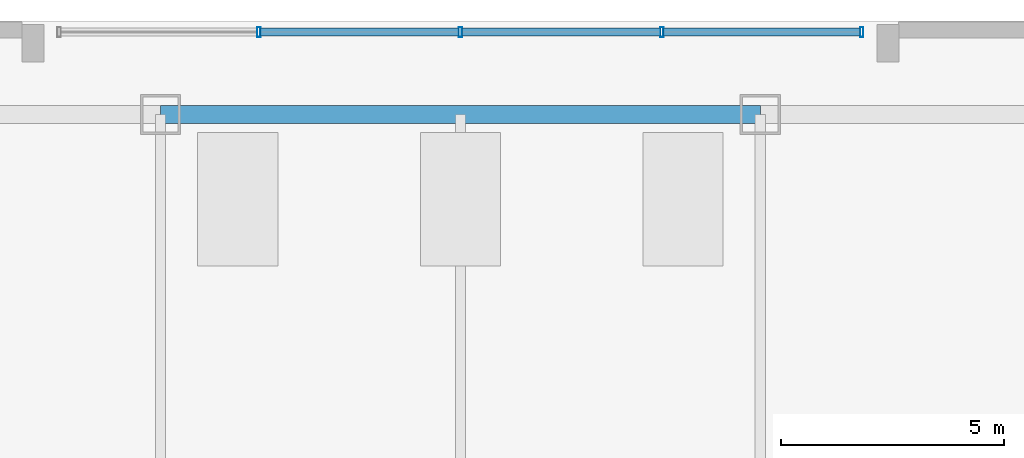
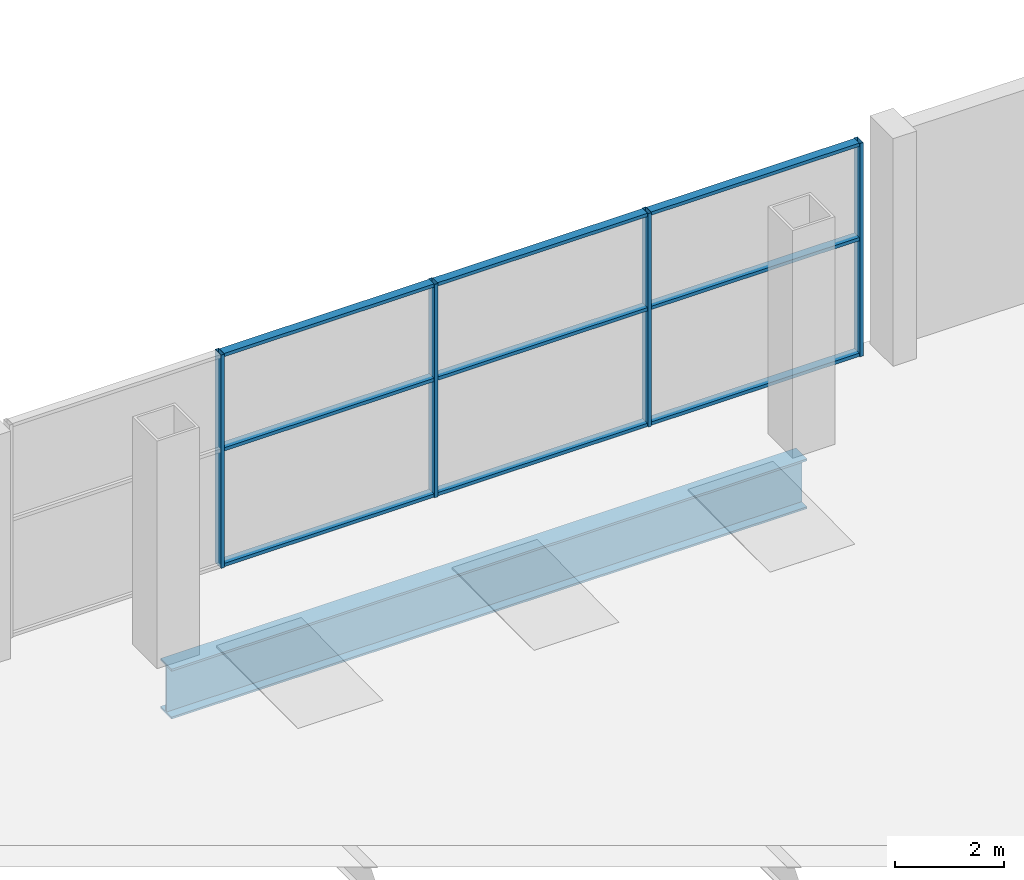
# One storey, part 10 of 21: 13 members, 1 beam, 1 element without a shape of its own.
"""IFC4 building model written with IfcOpenShell, lengths in metres."""

import ifcopenshell
import ifcopenshell.guid

model = None  # the IFC model being written
_history = None  # IfcOwnerHistory: only IFC2X3 demands one
_inside = {}  # id of a spatial element -> (the spatial element, [elements in it])
_under = {}  # id of a project, library or spatial element -> (it, [spatial elements below it])
_declared = {}  # id of a project -> (the project, [libraries it declares])
_typed = {}  # id of a type object -> (the type object, [elements of that type])
_made_of = {}  # id of a material, layer set ... -> (it, [elements and type objects made of it])


def new_model(schema):
    """Start an empty IFC model of exactly this schema.

    Asked for "IFC4X3", IfcOpenShell would pick the latest addendum, in which some entities
    have other attributes; the version numbers below select the first issue.
    IFC2X3 requires an IfcOwnerHistory on every rooted entity: one is made here for all.
    """
    global model, _history
    if schema == "IFC4X3":
        model = ifcopenshell.file(schema_version=(4, 3, 0, 0))
    else:
        model = ifcopenshell.file(schema=schema)
    _inside.clear()
    _under.clear()
    _declared.clear()
    _typed.clear()
    _made_of.clear()
    _history = None
    if model.schema == "IFC2X3":
        org = make("IfcOrganization", Name="unknown")
        user = make(
            "IfcPersonAndOrganization",
            ThePerson=make("IfcPerson", FamilyName="unknown"),
            TheOrganization=org,
        )
        app = make(
            "IfcApplication",
            ApplicationDeveloper=org,
            Version="unknown",
            ApplicationFullName="unknown",
            ApplicationIdentifier="unknown",
        )
        _history = make(
            "IfcOwnerHistory",
            OwningUser=user,
            OwningApplication=app,
            ChangeAction="ADDED",
            CreationDate=0,
        )
    return model


def make(cls, **values):
    """One entity of the class cls with the attributes given. An attribute that is None is left unset."""
    return model.create_entity(
        cls, **{name: value for name, value in values.items() if value is not None}
    )


def rooted(cls, **values):
    """An entity with a GlobalId (a new one), such as an element, a storey or a relation."""
    return make(cls, GlobalId=ifcopenshell.guid.new(), OwnerHistory=_history, **values)


def si_unit(unit_type, name, prefix=None):
    """IfcSIUnit, for example si_unit("LENGTHUNIT", "METRE", prefix="MILLI")."""
    return make("IfcSIUnit", UnitType=unit_type, Prefix=prefix, Name=name)


def assignment(units):
    """IfcUnitAssignment: the units of a project."""
    return None if units is None else make("IfcUnitAssignment", Units=units)


def point(xyz):
    """IfcCartesianPoint."""
    return None if xyz is None else make("IfcCartesianPoint", Coordinates=xyz)


def direction(xyz):
    """IfcDirection."""
    return None if xyz is None else make("IfcDirection", DirectionRatios=xyz)


def frame(location, z_axis=None, x_axis=None):
    """IfcAxis2Placement3D, a coordinate frame: its origin and axes. An axis left out is left unset."""
    return make(
        "IfcAxis2Placement3D",
        Location=point(location),
        Axis=direction(z_axis),
        RefDirection=direction(x_axis),
    )


def frame_2d(location, x_axis=None):
    """IfcAxis2Placement2D, a coordinate frame in the plane: its origin and x axis."""
    return make(
        "IfcAxis2Placement2D", Location=point(location), RefDirection=direction(x_axis)
    )


def origin():
    """The frame at (0, 0, 0) with its axes left unset."""
    return frame((0.0, 0.0, 0.0))


def origin_2d():
    """The frame at (0, 0) in the plane with its x axis left unset."""
    return frame_2d((0.0, 0.0))


def place(relative_to, where):
    """IfcLocalPlacement: puts the frame where relative to a parent placement (None: the world)."""
    return make(
        "IfcLocalPlacement", PlacementRelTo=relative_to, RelativePlacement=where
    )


def context(
    kind, dimensions, precision=None, world=None, true_north=None, identifier=None
):
    """IfcGeometricRepresentationContext, for example the 3D "Model" context."""
    return make(
        "IfcGeometricRepresentationContext",
        ContextIdentifier=identifier,
        ContextType=kind,
        CoordinateSpaceDimension=dimensions,
        Precision=precision,
        WorldCoordinateSystem=world,
        TrueNorth=true_north,
    )


def subcontext(parent, identifier, kind, view, scale=None):
    """IfcGeometricRepresentationSubContext, for example "Body" below "Model"."""
    return make(
        "IfcGeometricRepresentationSubContext",
        ContextIdentifier=identifier,
        ContextType=kind,
        ParentContext=parent,
        TargetScale=scale,
        TargetView=view,
    )


def project(units=None, contexts=None):
    """IfcProject with its units and contexts."""
    return rooted(
        "IfcProject",
        Name="project",
        RepresentationContexts=contexts,
        UnitsInContext=assignment(units),
    )


def spatial(cls, under=None, at=None, **own):
    """A site, building, storey or space (cls), placed at a placement, below another one or the project."""
    s = rooted(cls, ObjectPlacement=at, **own)
    if under is not None:
        _under.setdefault(under.id(), (under, []))[1].append(s)
    return s


def profile(cls, at=None, kind="AREA", **sizes):
    """A parametric profile (cls). Its sizes go by their IFC names, for example OverallWidth=200.0."""
    return make(cls, ProfileType=kind, Position=at, **sizes)


def hollow_rectangle(**sizes):
    """IfcRectangleHollowProfileDef."""
    return profile("IfcRectangleHollowProfileDef", **sizes)


def i_section(**sizes):
    """IfcIShapeProfileDef."""
    return profile("IfcIShapeProfileDef", **sizes)


def extrude(swept, where, along, depth):
    """IfcExtrudedAreaSolid: the profile swept, set in the frame where, extruded along a direction by depth."""
    return make(
        "IfcExtrudedAreaSolid",
        SweptArea=swept,
        Position=where,
        ExtrudedDirection=direction(along),
        Depth=depth,
    )


def shape(context_of_items, identifier, shape_type, items):
    """IfcShapeRepresentation: the items that make up one representation, for example the "Body"."""
    return make(
        "IfcShapeRepresentation",
        ContextOfItems=context_of_items,
        RepresentationIdentifier=identifier,
        RepresentationType=shape_type,
        Items=items,
    )


def material(Name=None, Category=None):
    """IfcMaterial."""
    return make("IfcMaterial", Name=Name, Category=Category)


def layer(
    of_material, thickness, ventilated=None, Name=None, Category=None, Priority=None
):
    """IfcMaterialLayer: one layer of a wall or slab, of a material (None: an air gap)."""
    return make(
        "IfcMaterialLayer",
        Material=of_material,
        LayerThickness=thickness,
        IsVentilated=ventilated,
        Name=Name,
        Category=Category,
        Priority=Priority,
    )


def layer_set(layers, Name=None):
    """IfcMaterialLayerSet."""
    return make("IfcMaterialLayerSet", MaterialLayers=layers, LayerSetName=Name)


def material_profile(
    of_material, cross_section, Name=None, Category=None, Priority=None
):
    """IfcMaterialProfile: a cross section and its material."""
    return make(
        "IfcMaterialProfile",
        Name=Name,
        Material=of_material,
        Profile=cross_section,
        Priority=Priority,
        Category=Category,
    )


def profile_set(profiles, Name=None, composite=None):
    """IfcMaterialProfileSet."""
    return make(
        "IfcMaterialProfileSet",
        Name=Name,
        MaterialProfiles=profiles,
        CompositeProfile=composite,
    )


def made_of(thing, what):
    """Note that an element or type object is made of a material, layer set ...; save() writes the relation."""
    if what is not None:
        _made_of.setdefault(what.id(), (what, []))[1].append(thing)
    return thing


def type_object(cls, material=None, **own):
    """A type object (cls), such as IfcWallType, which elements share."""
    return made_of(rooted(cls, **own), material)


def element(
    cls,
    number,
    at=None,
    inside=None,
    cuts=None,
    type_object=None,
    material=None,
    context=None,
    identifier="Body",
    shape_type=None,
    held_by="IfcProductDefinitionShape",
    body=None,
    shapes=None,
    **own,
):
    """One element of the class cls, such as IfcWall. Its Tag is "e" and its number.

    at: its placement. inside: the storey or other place that contains it. cuts: it is an
    opening in that element (IfcRelVoidsElement). A single representation is given by context,
    identifier, shape_type and body (its items); several are given by shapes. held_by: the class
    of the entity that holds the representations. save() writes the other relations.
    """
    e = rooted(cls, Tag="e%d" % number, ObjectPlacement=at, **own)
    if body is not None:
        shapes = [shape(context, identifier, shape_type, body)]
    if shapes is not None:
        e.Representation = make(held_by, Representations=shapes)
    if inside is not None:
        _inside.setdefault(inside.id(), (inside, []))[1].append(e)
    if cuts is not None:
        rooted(
            "IfcRelVoidsElement", RelatingBuildingElement=cuts, RelatedOpeningElement=e
        )
    if type_object is not None:
        _typed.setdefault(type_object.id(), (type_object, []))[1].append(e)
    return made_of(e, material)


def aggregate(whole, parts):
    """IfcRelAggregates: a whole, such as a stair, and the parts it consists of."""
    return rooted("IfcRelAggregates", RelatingObject=whole, RelatedObjects=parts)


def save(model, path):
    """Write the relations noted so far, then the file.

    IfcRelAggregates (storeys below a building ...), IfcRelContainedInSpatialStructure (elements
    in a storey), IfcRelDefinesByType, IfcRelAssociatesMaterial and IfcRelDeclares: one each for
    every whole, place, type object, material and project.
    """
    for whole, parts in _under.values():
        aggregate(whole, parts)
    for where, things in _inside.values():
        rooted(
            "IfcRelContainedInSpatialStructure",
            RelatedElements=things,
            RelatingStructure=where,
        )
    for kind, things in _typed.values():
        rooted("IfcRelDefinesByType", RelatedObjects=things, RelatingType=kind)
    for what, things in _made_of.values():
        rooted("IfcRelAssociatesMaterial", RelatedObjects=things, RelatingMaterial=what)
    for by, libraries in _declared.values():
        rooted("IfcRelDeclares", RelatingContext=by, RelatedDefinitions=libraries)
    model.write(path)


model = new_model("IFC4")

# Units and contexts
model_context = context("Model", 3, precision=1e-05, world=origin(), true_north=direction((0.0, 1.0)))
body_context = subcontext(model_context, "Body", "Model", "MODEL_VIEW")
ifc_project = project(units=[si_unit("LENGTHUNIT", "METRE"), si_unit("AREAUNIT", "SQUARE_METRE"), si_unit("VOLUMEUNIT", "CUBIC_METRE"), si_unit("PLANEANGLEUNIT", "RADIAN"), si_unit("MASSUNIT", "GRAM", prefix="KILO")], contexts=[model_context])

# Site, building, storey
site_placement = place(None, origin())
site = spatial("IfcSite", under=ifc_project, at=site_placement, CompositionType="ELEMENT")
building_placement = place(site_placement, origin())
building = spatial("IfcBuilding", under=site, at=building_placement, Name="Qhalaya Broadcast Tower", CompositionType="ELEMENT")
storey_placement = place(building_placement, origin())
storey = spatial("IfcBuildingStorey", under=building, at=storey_placement, Name="L00", CompositionType="ELEMENT", Elevation=0.0)

# Beam
ifc_material_1 = material(Name="Structural Steel ASTM A992 Grade 50", Category="steel")
ifc_material_profile_1 = material_profile(ifc_material_1, i_section(OverallWidth=0.404052734375, OverallDepth=1.117919921875, WebThickness=0.026123046875, FlangeThickness=0.044921875, at=origin_2d()), Name="W44X335")
ifc_profile_set_1 = profile_set([ifc_material_profile_1], Name="Structural Steel ASTM A992 Grade 50")
beam_type = type_object("IfcBeamType", Name="Podium Long-Span Primary Girder PG1", PredefinedType="USERDEFINED", material=ifc_profile_set_1)
beam_placement = place(storey_placement, frame((6.7333984375, 25.89990234375, -0.87890625), z_axis=(-1.0, 0.0, 0.0), x_axis=(0.0, -1.0, 0.0)))
element("IfcBeam", 1, at=beam_placement, inside=storey, type_object=beam_type, Name="L00 PG1 L00-PG-R10", ObjectType="GIRDER", PredefinedType="USERDEFINED", context=body_context, shape_type="SweptSolid", body=[
    extrude(i_section(OverallWidth=0.404052734375, OverallDepth=1.117919921875, WebThickness=0.026123046875, FlangeThickness=0.044921875, at=origin_2d()), origin(), (0.0, 0.0, 1.0), 13.466796875),
])

# Curtain wall, members
ifc_material_2 = material(Name="Solar-Control Low-E Triple Glazing", Category="glass")
ifc_layer = layer(ifc_material_2, 0.219970703125, Name="Solar-Control Low-E Triple Glazing")
ifc_layer_set = layer_set([ifc_layer], Name="Solar-Control Low-E Triple Glazing")
curtain_wall_type = type_object("IfcCurtainWallType", Name="Podium Concourse Triple-Height Glazed Portal CW-01", PredefinedType="NOTDEFINED", material=ifc_layer_set)
curtain_wall_placement = place(storey_placement, origin())
curtain_wall = element("IfcCurtainWall", 2, at=curtain_wall_placement, inside=storey, type_object=curtain_wall_type, Name="L00 Unitised Curtain Wall L00-CW01-N", PredefinedType="NOTDEFINED")
ifc_material_3 = material(Name="Anodised Aluminium 6063-T6", Category="aluminium")
ifc_material_profile_2 = material_profile(ifc_material_3, hollow_rectangle(XDim=0.074951171875, YDim=0.219970703125, WallThickness=0.00390625, at=origin_2d()), Name="ALU-MUL 75x220x4")
ifc_profile_set_2 = profile_set([ifc_material_profile_2], Name="Anodised Aluminium 6063-T6")
member_type_1 = type_object("IfcMemberType", Name="Unitised Curtain-Wall Mullion M01", PredefinedType="MULLION", material=ifc_profile_set_2)
member_1_placement = place(storey_placement, frame((9.012451171875, 27.75, 0.0), z_axis=(0.0, 0.0, 1.0), x_axis=(-1.0, 0.0, 0.0)))
member_1 = element("IfcMember", 3, at=member_1_placement, type_object=member_type_1, Name="CW-01 mullion 1", PredefinedType="MULLION", context=body_context, shape_type="SweptSolid", body=[
    extrude(hollow_rectangle(XDim=0.074951171875, YDim=0.219970703125, WallThickness=0.00390625, at=origin_2d()), origin(), (0.0, 0.0, 1.0), 4.780029296875),
])
member_2_placement = place(storey_placement, frame((4.52490234375, 27.75, 0.0), z_axis=(0.0, 0.0, 1.0), x_axis=(-1.0, 0.0, 0.0)))
member_2 = element("IfcMember", 4, at=member_2_placement, type_object=member_type_1, Name="CW-01 mullion 2", PredefinedType="MULLION", context=body_context, shape_type="SweptSolid", body=[
    extrude(hollow_rectangle(XDim=0.074951171875, YDim=0.219970703125, WallThickness=0.00390625, at=origin_2d()), origin(), (0.0, 0.0, 1.0), 4.780029296875),
])
member_3_placement = place(storey_placement, frame((0.0, 27.75, 0.0), z_axis=(0.0, 0.0, 1.0), x_axis=(-1.0, 0.0, 0.0)))
member_3 = element("IfcMember", 5, at=member_3_placement, type_object=member_type_1, Name="CW-01 mullion 3", PredefinedType="MULLION", context=body_context, shape_type="SweptSolid", body=[
    extrude(hollow_rectangle(XDim=0.074951171875, YDim=0.219970703125, WallThickness=0.00390625, at=origin_2d()), origin(), (0.0, 0.0, 1.0), 4.780029296875),
])
member_4_placement = place(storey_placement, frame((-4.52490234375, 27.75, 0.0), z_axis=(0.0, 0.0, 1.0), x_axis=(-1.0, 0.0, 0.0)))
member_4 = element("IfcMember", 6, at=member_4_placement, type_object=member_type_1, Name="CW-01 mullion 4", PredefinedType="MULLION", context=body_context, shape_type="SweptSolid", body=[
    extrude(hollow_rectangle(XDim=0.074951171875, YDim=0.219970703125, WallThickness=0.00390625, at=origin_2d()), origin(), (0.0, 0.0, 1.0), 4.780029296875),
])
ifc_material_profile_3 = material_profile(ifc_material_3, hollow_rectangle(XDim=0.074951171875, YDim=0.179931640625, WallThickness=0.00390625, at=origin_2d()), Name="ALU-TRN 75x180x4")
ifc_profile_set_3 = profile_set([ifc_material_profile_3], Name="Anodised Aluminium 6063-T6")
member_type_2 = type_object("IfcMemberType", Name="Unitised Curtain-Wall Transom T01", PredefinedType="USERDEFINED", material=ifc_profile_set_3)
member_5_placement = place(storey_placement, frame((8.97509765625, 27.75, 0.03759765625), z_axis=(-1.0, 0.0, 0.0), x_axis=(0.0, 0.0, 1.0)))
member_5 = element("IfcMember", 7, at=member_5_placement, type_object=member_type_2, Name="CW-01 transom 1.1", ObjectType="TRANSOM", PredefinedType="USERDEFINED", context=body_context, shape_type="SweptSolid", body=[
    extrude(hollow_rectangle(XDim=0.074951171875, YDim=0.179931640625, WallThickness=0.00390625, at=origin_2d()), origin(), (0.0, 0.0, 1.0), 4.41259765625),
])
member_6_placement = place(storey_placement, frame((8.97509765625, 27.75, 2.62890625), z_axis=(-1.0, 0.0, 0.0), x_axis=(0.0, 0.0, 1.0)))
member_6 = element("IfcMember", 8, at=member_6_placement, type_object=member_type_2, Name="CW-01 transom 1.2", ObjectType="TRANSOM", PredefinedType="USERDEFINED", context=body_context, shape_type="SweptSolid", body=[
    extrude(hollow_rectangle(XDim=0.074951171875, YDim=0.179931640625, WallThickness=0.00390625, at=origin_2d()), origin(), (0.0, 0.0, 1.0), 4.41259765625),
])
member_7_placement = place(storey_placement, frame((8.97509765625, 27.75, 4.742431640625), z_axis=(-1.0, 0.0, 0.0), x_axis=(0.0, 0.0, 1.0)))
member_7 = element("IfcMember", 9, at=member_7_placement, type_object=member_type_2, Name="CW-01 transom 1.3", ObjectType="TRANSOM", PredefinedType="USERDEFINED", context=body_context, shape_type="SweptSolid", body=[
    extrude(hollow_rectangle(XDim=0.074951171875, YDim=0.179931640625, WallThickness=0.00390625, at=origin_2d()), origin(), (0.0, 0.0, 1.0), 4.41259765625),
])
member_8_placement = place(storey_placement, frame((4.487548828125, 27.75, 0.03759765625), z_axis=(-1.0, 0.0, 0.0), x_axis=(0.0, 0.0, 1.0)))
member_8 = element("IfcMember", 10, at=member_8_placement, type_object=member_type_2, Name="CW-01 transom 2.1", ObjectType="TRANSOM", PredefinedType="USERDEFINED", context=body_context, shape_type="SweptSolid", body=[
    extrude(hollow_rectangle(XDim=0.074951171875, YDim=0.179931640625, WallThickness=0.00390625, at=origin_2d()), origin(), (0.0, 0.0, 1.0), 4.449951171875),
])
member_9_placement = place(storey_placement, frame((4.487548828125, 27.75, 2.62890625), z_axis=(-1.0, 0.0, 0.0), x_axis=(0.0, 0.0, 1.0)))
member_9 = element("IfcMember", 11, at=member_9_placement, type_object=member_type_2, Name="CW-01 transom 2.2", ObjectType="TRANSOM", PredefinedType="USERDEFINED", context=body_context, shape_type="SweptSolid", body=[
    extrude(hollow_rectangle(XDim=0.074951171875, YDim=0.179931640625, WallThickness=0.00390625, at=origin_2d()), origin(), (0.0, 0.0, 1.0), 4.449951171875),
])
member_10_placement = place(storey_placement, frame((4.487548828125, 27.75, 4.742431640625), z_axis=(-1.0, 0.0, 0.0), x_axis=(0.0, 0.0, 1.0)))
member_10 = element("IfcMember", 12, at=member_10_placement, type_object=member_type_2, Name="CW-01 transom 2.3", ObjectType="TRANSOM", PredefinedType="USERDEFINED", context=body_context, shape_type="SweptSolid", body=[
    extrude(hollow_rectangle(XDim=0.074951171875, YDim=0.179931640625, WallThickness=0.00390625, at=origin_2d()), origin(), (0.0, 0.0, 1.0), 4.449951171875),
])
member_11_placement = place(storey_placement, frame((-0.03759765625, 27.75, 0.03759765625), z_axis=(-1.0, 0.0, 0.0), x_axis=(0.0, 0.0, 1.0)))
member_11 = element("IfcMember", 13, at=member_11_placement, type_object=member_type_2, Name="CW-01 transom 3.1", ObjectType="TRANSOM", PredefinedType="USERDEFINED", context=body_context, shape_type="SweptSolid", body=[
    extrude(hollow_rectangle(XDim=0.074951171875, YDim=0.179931640625, WallThickness=0.00390625, at=origin_2d()), origin(), (0.0, 0.0, 1.0), 4.449951171875),
])
member_12_placement = place(storey_placement, frame((-0.03759765625, 27.75, 2.62890625), z_axis=(-1.0, 0.0, 0.0), x_axis=(0.0, 0.0, 1.0)))
member_12 = element("IfcMember", 14, at=member_12_placement, type_object=member_type_2, Name="CW-01 transom 3.2", ObjectType="TRANSOM", PredefinedType="USERDEFINED", context=body_context, shape_type="SweptSolid", body=[
    extrude(hollow_rectangle(XDim=0.074951171875, YDim=0.179931640625, WallThickness=0.00390625, at=origin_2d()), origin(), (0.0, 0.0, 1.0), 4.449951171875),
])
member_13_placement = place(storey_placement, frame((-0.03759765625, 27.75, 4.742431640625), z_axis=(-1.0, 0.0, 0.0), x_axis=(0.0, 0.0, 1.0)))
member_13 = element("IfcMember", 15, at=member_13_placement, type_object=member_type_2, Name="CW-01 transom 3.3", ObjectType="TRANSOM", PredefinedType="USERDEFINED", context=body_context, shape_type="SweptSolid", body=[
    extrude(hollow_rectangle(XDim=0.074951171875, YDim=0.179931640625, WallThickness=0.00390625, at=origin_2d()), origin(), (0.0, 0.0, 1.0), 4.449951171875),
])
aggregate(curtain_wall, [member_1, member_2, member_3, member_4, member_5, member_6, member_7, member_8, member_9, member_10, member_11, member_12, member_13])

save(model, "model.ifc")
